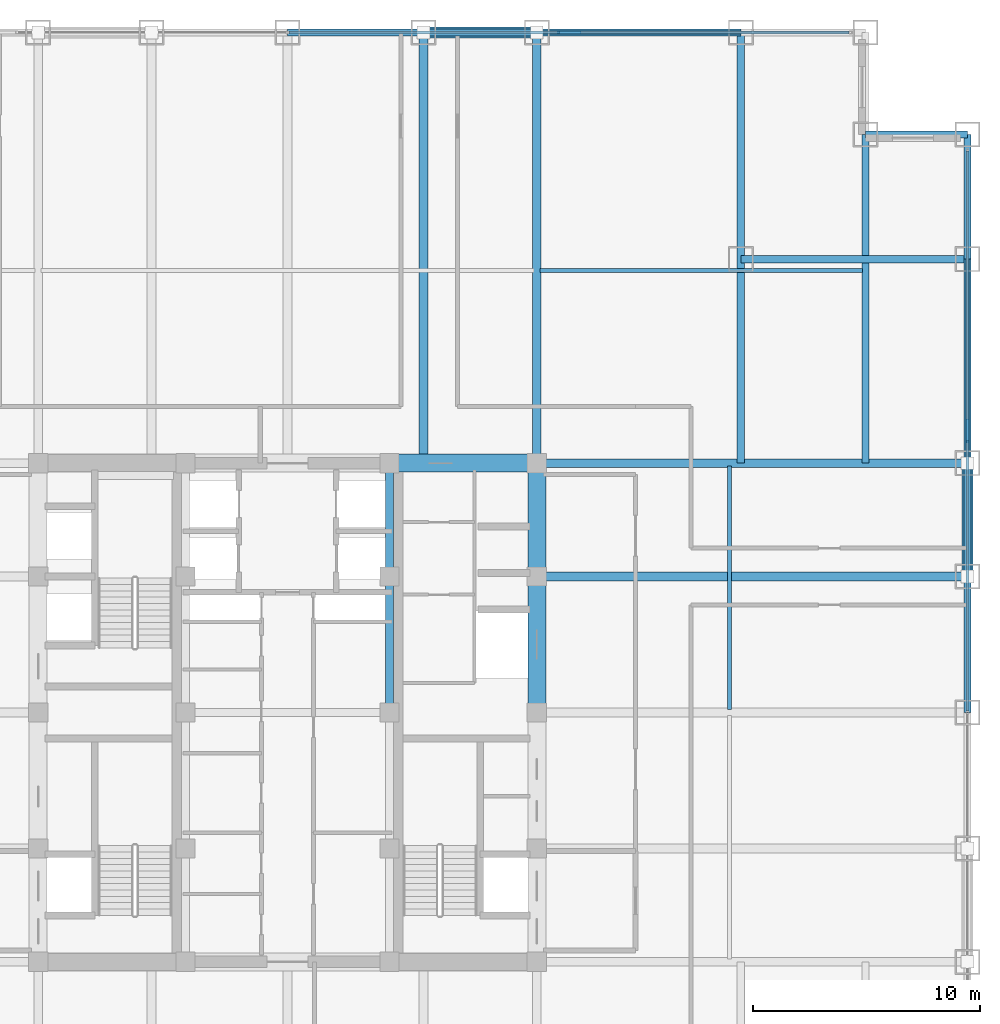
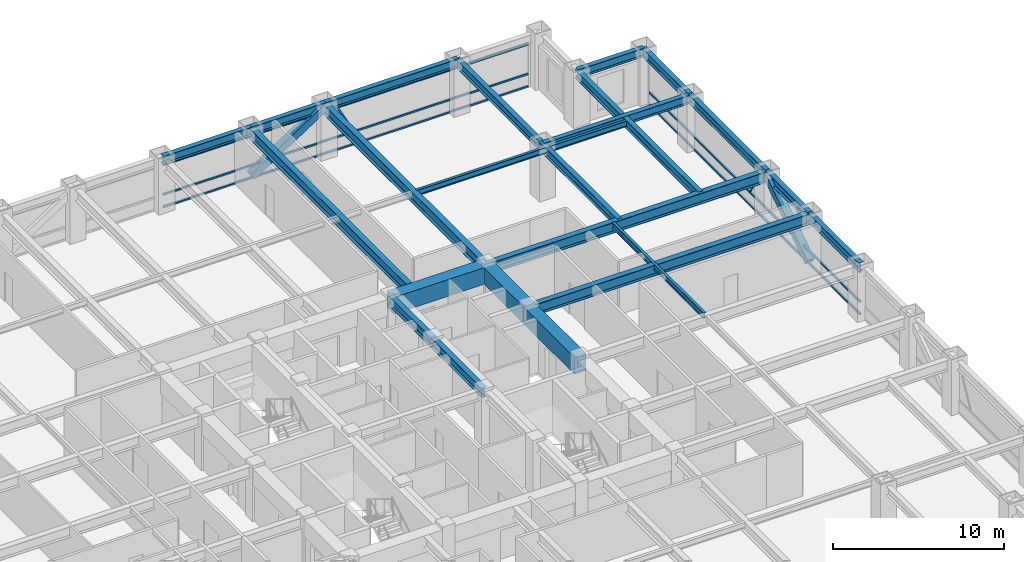
# One storey, part 17 of 24: 22 beams, 10 members, 2 elements without a shape of their own.
"""IFC4 building model written with IfcOpenShell, lengths in metres."""

from ifc_helpers import new_model, si_unit, direction, frame, origin, origin_2d, place, context, subcontext, project, spatial, rectangle, hollow_rectangle, i_section, extrude, source, transform, mapped, material, material_profile, profile_set, type_object, element, aggregate, save


model = new_model("IFC4")

# Units and contexts
model_context = context("Model", 3, precision=1e-05, world=origin(), true_north=direction((0.0, 1.0)))
body_context = subcontext(model_context, "Body", "Model", "MODEL_VIEW")
ifc_project = project(units=[si_unit("LENGTHUNIT", "METRE"), si_unit("AREAUNIT", "SQUARE_METRE"), si_unit("VOLUMEUNIT", "CUBIC_METRE"), si_unit("PLANEANGLEUNIT", "RADIAN"), si_unit("MASSUNIT", "GRAM", prefix="KILO")], contexts=[model_context])

# Site, building, storey
site_placement = place(None, origin())
site = spatial("IfcSite", under=ifc_project, at=site_placement, CompositionType="ELEMENT")
building_placement = place(site_placement, origin())
building = spatial("IfcBuilding", under=site, at=building_placement, Name="Khorayat Bourse Tower", CompositionType="ELEMENT")
storey_placement = place(building_placement, frame((0.0, 0.0, 171.10009765625)))
storey = spatial("IfcBuildingStorey", under=building, at=storey_placement, Name="L39", CompositionType="ELEMENT", Elevation=171.10009765625)

# Beams
ifc_material_1 = material(Name="Concrete C72/90", Category="concrete")
ifc_material_profile_1 = material_profile(ifc_material_1, rectangle(XDim=0.800048828125, YDim=1.199951171875, at=origin_2d()), Name="RC 800x1200")
ifc_profile_set_1 = profile_set([ifc_material_profile_1], Name="Concrete C72/90")
beam_type_1 = type_object("IfcBeamType", Name="BM-COUP-1200", PredefinedType="BEAM", material=ifc_profile_set_1)
shared_shape_1 = source(origin(), body_context, "Body", "SweptSolid", [
    extrude(rectangle(XDim=0.800048828125, YDim=1.199951171875, at=origin_2d()), origin(), (0.0, 0.0, 1.0), 5.0),
])
beam_1_placement = place(storey_placement, frame((11.0, 6.0, 3.179931640625), z_axis=(0.0, 1.0, 0.0), x_axis=(-1.0, 0.0, 0.0)))
element("IfcBeam", 1, at=beam_1_placement, inside=storey, type_object=beam_type_1, Name="L39 BM-COUP-1200 BM-L39-CRX-16", PredefinedType="BEAM", context=body_context, shape_type="MappedRepresentation", body=[
    mapped(shared_shape_1, transform((0.0, 0.0, 0.0), scale=1.0)),
])
shared_shape_2 = source(origin(), body_context, "Body", "SweptSolid", [
    extrude(rectangle(XDim=0.800048828125, YDim=1.199951171875, at=origin_2d()), origin(), (0.0, 0.0, 1.0), 6.0),
])
beam_2_placement = place(storey_placement, frame((11.0, 0.0, 3.179931640625), z_axis=(0.0, 1.0, 0.0), x_axis=(-1.0, 0.0, 0.0)))
element("IfcBeam", 2, at=beam_2_placement, inside=storey, type_object=beam_type_1, Name="L39 BM-COUP-1200 BM-L39-CRX-15", PredefinedType="BEAM", context=body_context, shape_type="MappedRepresentation", body=[
    mapped(shared_shape_2, transform((0.0, 0.0, 0.0), scale=1.0)),
])
ifc_material_2 = material(Name="Steel ASTM A992 Grade 50", Category="steel")
ifc_material_profile_2 = material_profile(ifc_material_2, i_section(OverallWidth=0.35498046875, OverallDepth=0.695068359375, WebThickness=0.015380859375, FlangeThickness=0.02490234375, FilletRadius=0.01806640625, at=origin_2d()), Name="W690X217")
ifc_profile_set_2 = profile_set([ifc_material_profile_2], Name="Steel ASTM A992 Grade 50")
beam_type_2 = type_object("IfcBeamType", Name="BM-GIRD-690", PredefinedType="BEAM", material=ifc_profile_set_2)
shared_shape_3 = source(origin(), body_context, "Body", "SweptSolid", [
    extrude(i_section(OverallWidth=0.35498046875, OverallDepth=0.695068359375, WebThickness=0.015380859375, FlangeThickness=0.02490234375, FilletRadius=0.01806640625, at=origin_2d()), origin(), (0.0, 0.0, 1.0), 5.0),
])
beam_3_placement = place(storey_placement, frame((4.5, 6.0, 3.432373046875), z_axis=(0.0, 1.0, 0.0), x_axis=(-1.0, 0.0, 0.0)))
element("IfcBeam", 3, at=beam_3_placement, inside=storey, type_object=beam_type_2, Name="L39 BM-GIRD-690 BM-L39-CRX-12", PredefinedType="BEAM", context=body_context, shape_type="MappedRepresentation", body=[
    mapped(shared_shape_3, transform((0.0, 0.0, 0.0), scale=1.0)),
])
shared_shape_4 = source(origin(), body_context, "Body", "SweptSolid", [
    extrude(i_section(OverallWidth=0.35498046875, OverallDepth=0.695068359375, WebThickness=0.015380859375, FlangeThickness=0.02490234375, FilletRadius=0.01806640625, at=origin_2d()), origin(), (0.0, 0.0, 1.0), 6.0),
])
beam_4_placement = place(storey_placement, frame((4.5, 0.0, 3.432373046875), z_axis=(0.0, 1.0, 0.0), x_axis=(-1.0, 0.0, 0.0)))
element("IfcBeam", 4, at=beam_4_placement, inside=storey, type_object=beam_type_2, Name="L39 BM-GIRD-690 BM-L39-CRX-11", PredefinedType="BEAM", context=body_context, shape_type="MappedRepresentation", body=[
    mapped(shared_shape_4, transform((0.0, 0.0, 0.0), scale=1.0)),
])
shared_shape_5 = source(origin(), body_context, "Body", "SweptSolid", [
    extrude(rectangle(XDim=0.800048828125, YDim=1.199951171875, at=origin_2d()), origin(), (0.0, 0.0, 1.0), 6.5),
])
beam_5_placement = place(storey_placement, frame((4.5, 11.0, 3.179931640625), z_axis=(1.0, 0.0, 0.0), x_axis=(0.0, 1.0, 0.0)))
element("IfcBeam", 5, at=beam_5_placement, inside=storey, type_object=beam_type_1, Name="L39 BM-COUP-1200 BM-L39-CRY-22", PredefinedType="BEAM", context=body_context, shape_type="MappedRepresentation", body=[
    mapped(shared_shape_5, transform((0.0, 0.0, 0.0), scale=1.0)),
])
ifc_material_profile_3 = material_profile(ifc_material_2, i_section(OverallWidth=0.381103515625, OverallDepth=0.77294921875, WebThickness=0.0166015625, FlangeThickness=0.027587890625, FilletRadius=0.01806640625, at=origin_2d()), Name="W760X257")
ifc_profile_set_3 = profile_set([ifc_material_profile_3], Name="Steel ASTM A992 Grade 50")
beam_type_3 = type_object("IfcBeamType", Name="BM-GIRD-760", PredefinedType="BEAM", material=ifc_profile_set_3)
shared_shape_6 = source(origin(), body_context, "Body", "SweptSolid", [
    extrude(i_section(OverallWidth=0.381103515625, OverallDepth=0.77294921875, WebThickness=0.0166015625, FlangeThickness=0.027587890625, FilletRadius=0.01806640625, at=origin_2d()), origin(), (0.0, 0.0, 1.0), 19.0),
])
for number, where, z_axis, x_axis, name in (
    (6, (6.0, 11.0, 3.393310546875), (0.0, 1.0, 0.0), (-1.0, 0.0, 0.0), "L39 BM-GIRD-760 BM-L39-RADY-070"),
    (7, (11.0, 11.0, 3.393310546875), (0.0, 1.0, 0.0), (-1.0, 0.0, 0.0), "L39 BM-GIRD-760 BM-L39-RADY-072"),
    (8, (11.0, 6.0, 3.393310546875), (1.0, 0.0, 0.0), (0.0, 1.0, 0.0), "L39 BM-GIRD-760 BM-L39-RADX-080"),
    (9, (11.0, 11.0, 3.393310546875), (1.0, 0.0, 0.0), (0.0, 1.0, 0.0), "L39 BM-GIRD-760 BM-L39-RADX-082"),
):
    element("IfcBeam", number, at=place(storey_placement, frame(where, z_axis=z_axis, x_axis=x_axis)), inside=storey, type_object=beam_type_3, Name=name, PredefinedType="BEAM", context=body_context, shape_type="MappedRepresentation", body=[
        mapped(shared_shape_6, transform((0.0, 0.0, 0.0), scale=1.0)),
    ])
ifc_material_profile_4 = material_profile(ifc_material_2, i_section(OverallWidth=0.324951171875, OverallDepth=0.615966796875, WebThickness=0.013916015625, FlangeThickness=0.021484375, FilletRadius=0.01611328125, at=origin_2d()), Name="W610X174")
ifc_profile_set_4 = profile_set([ifc_material_profile_4], Name="Steel ASTM A992 Grade 50")
beam_type_4 = type_object("IfcBeamType", Name="BM-GIRD-610", PredefinedType="BEAM", material=ifc_profile_set_4)
shared_shape_7 = source(origin(), body_context, "Body", "SweptSolid", [
    extrude(i_section(OverallWidth=0.324951171875, OverallDepth=0.615966796875, WebThickness=0.013916015625, FlangeThickness=0.021484375, FilletRadius=0.01611328125, at=origin_2d()), origin(), (0.0, 0.0, 1.0), 19.0),
])
beam_6_placement = place(storey_placement, frame((20.0, 11.0, 3.471923828125), z_axis=(0.0, 1.0, 0.0), x_axis=(-1.0, 0.0, 0.0)))
element("IfcBeam", 10, at=beam_6_placement, inside=storey, type_object=beam_type_4, Name="L39 BM-GIRD-610 BM-L39-CNRY-087", PredefinedType="BEAM", context=body_context, shape_type="MappedRepresentation", body=[
    mapped(shared_shape_7, transform((0.0, 0.0, 0.0), scale=1.0)),
])
shared_shape_8 = source(origin(), body_context, "Body", "SweptSolid", [
    extrude(i_section(OverallWidth=0.324951171875, OverallDepth=0.615966796875, WebThickness=0.013916015625, FlangeThickness=0.021484375, FilletRadius=0.01611328125, at=origin_2d()), origin(), (0.0, 0.0, 1.0), 14.5),
])
beam_7_placement = place(storey_placement, frame((25.5, 11.0, 3.471923828125), z_axis=(0.0, 1.0, 0.0), x_axis=(-1.0, 0.0, 0.0)))
element("IfcBeam", 11, at=beam_7_placement, inside=storey, type_object=beam_type_4, Name="L39 BM-GIRD-610 BM-L39-CNRY-091", PredefinedType="BEAM", context=body_context, shape_type="MappedRepresentation", body=[
    mapped(shared_shape_8, transform((0.0, 0.0, 0.0), scale=1.0)),
])
shared_shape_9 = source(origin(), body_context, "Body", "SweptSolid", [
    extrude(i_section(OverallWidth=0.324951171875, OverallDepth=0.615966796875, WebThickness=0.013916015625, FlangeThickness=0.021484375, FilletRadius=0.01611328125, at=origin_2d()), origin(), (0.0, 0.0, 1.0), 10.0),
])
beam_8_placement = place(storey_placement, frame((20.0, 20.0, 3.471923828125), z_axis=(1.0, 0.0, 0.0), x_axis=(0.0, 1.0, 0.0)))
element("IfcBeam", 12, at=beam_8_placement, inside=storey, type_object=beam_type_4, Name="L39 BM-GIRD-610 BM-L39-CNRX-094", PredefinedType="BEAM", context=body_context, shape_type="MappedRepresentation", body=[
    mapped(shared_shape_9, transform((0.0, 0.0, 0.0), scale=1.0)),
])
ifc_material_profile_5 = material_profile(ifc_material_2, i_section(OverallWidth=0.180908203125, OverallDepth=0.4169921875, WebThickness=0.010986328125, FlangeThickness=0.018310546875, FilletRadius=0.011962890625, at=origin_2d()), Name="W410X85")
ifc_profile_set_5 = profile_set([ifc_material_profile_5], Name="Steel ASTM A992 Grade 50")
beam_type_5 = type_object("IfcBeamType", Name="BM-JOIST-410", PredefinedType="JOIST", material=ifc_profile_set_5)
shared_shape_10 = source(origin(), body_context, "Body", "SweptSolid", [
    extrude(i_section(OverallWidth=0.180908203125, OverallDepth=0.4169921875, WebThickness=0.010986328125, FlangeThickness=0.018310546875, FilletRadius=0.011962890625, at=origin_2d()), origin(), (0.0, 0.0, 1.0), 14.240234375),
])
beam_9_placement = place(storey_placement, frame((11.1298828125, 19.5, 3.5712890625), z_axis=(1.0, 0.0, 0.0), x_axis=(0.0, 1.0, 0.0)))
element("IfcBeam", 13, at=beam_9_placement, inside=storey, type_object=beam_type_5, Name="L39 BM-JOIST-410 BM-L39-JSTX-101", PredefinedType="JOIST", context=body_context, shape_type="MappedRepresentation", body=[
    mapped(shared_shape_10, transform((0.0, 0.0, 0.0), scale=1.0)),
])
shared_shape_11 = source(origin(), body_context, "Body", "SweptSolid", [
    extrude(i_section(OverallWidth=0.180908203125, OverallDepth=0.4169921875, WebThickness=0.010986328125, FlangeThickness=0.018310546875, FilletRadius=0.011962890625, at=origin_2d()), origin(), (0.0, 0.0, 1.0), 10.740234375),
])
beam_10_placement = place(storey_placement, frame((19.5, 0.1298828125, 3.5712890625), z_axis=(0.0, 1.0, 0.0), x_axis=(-1.0, 0.0, 0.0)))
element("IfcBeam", 14, at=beam_10_placement, inside=storey, type_object=beam_type_5, Name="L39 BM-JOIST-410 BM-L39-JSTY-105", PredefinedType="JOIST", context=body_context, shape_type="MappedRepresentation", body=[
    mapped(shared_shape_11, transform((0.0, 0.0, 0.0), scale=1.0)),
])
ifc_material_profile_6 = material_profile(ifc_material_2, i_section(OverallWidth=0.324951171875, OverallDepth=0.615966796875, WebThickness=0.013916015625, FlangeThickness=0.021484375, FilletRadius=0.01611328125, at=origin_2d()), Name="W610X174")
ifc_profile_set_6 = profile_set([ifc_material_profile_6], Name="Steel ASTM A992 Grade 50")
beam_type_6 = type_object("IfcBeamType", Name="BM-SPAN-610", PredefinedType="SPANDREL", material=ifc_profile_set_6)
shared_shape_12 = source(origin(), body_context, "Body", "SweptSolid", [
    extrude(i_section(OverallWidth=0.324951171875, OverallDepth=0.615966796875, WebThickness=0.013916015625, FlangeThickness=0.021484375, FilletRadius=0.01611328125, at=origin_2d()), origin(), (0.0, 0.0, 1.0), 5.5),
])
beam_11_placement = place(storey_placement, frame((30.0, 20.0, 3.471923828125), z_axis=(0.0, 1.0, 0.0), x_axis=(-1.0, 0.0, 0.0)))
element("IfcBeam", 15, at=beam_11_placement, inside=storey, type_object=beam_type_6, Name="L39 BM-SPAN-610 BM-L39-SPN-041", PredefinedType="SPANDREL", context=body_context, shape_type="MappedRepresentation", body=[
    mapped(shared_shape_12, transform((0.0, 0.0, 0.0), scale=1.0)),
])
shared_shape_13 = source(origin(), body_context, "Body", "SweptSolid", [
    extrude(i_section(OverallWidth=0.324951171875, OverallDepth=0.615966796875, WebThickness=0.013916015625, FlangeThickness=0.021484375, FilletRadius=0.01611328125, at=origin_2d()), origin(), (0.0, 0.0, 1.0), 9.0),
])
for number, where, z_axis, x_axis, name in (
    (16, (30.0, 11.0, 3.471923828125), (0.0, 1.0, 0.0), (-1.0, 0.0, 0.0), "L39 BM-SPAN-610 BM-L39-SPN-040"),
    (17, (11.0, 30.0, 3.471923828125), (1.0, 0.0, 0.0), (0.0, 1.0, 0.0), "L39 BM-SPAN-610 BM-L39-SPN-045"),
):
    element("IfcBeam", number, at=place(storey_placement, frame(where, z_axis=z_axis, x_axis=x_axis)), inside=storey, type_object=beam_type_6, Name=name, PredefinedType="SPANDREL", context=body_context, shape_type="MappedRepresentation", body=[
        mapped(shared_shape_13, transform((0.0, 0.0, 0.0), scale=1.0)),
    ])
shared_shape_14 = source(origin(), body_context, "Body", "SweptSolid", [
    extrude(i_section(OverallWidth=0.324951171875, OverallDepth=0.615966796875, WebThickness=0.013916015625, FlangeThickness=0.021484375, FilletRadius=0.01611328125, at=origin_2d()), origin(), (0.0, 0.0, 1.0), 5.0),
])
for number, where, z_axis, x_axis, name in (
    (18, (30.0, 6.0, 3.471923828125), (0.0, 1.0, 0.0), (-1.0, 0.0, 0.0), "L39 BM-SPAN-610 BM-L39-SPN-039"),
    (19, (6.0, 30.0, 3.471923828125), (1.0, 0.0, 0.0), (0.0, 1.0, 0.0), "L39 BM-SPAN-610 BM-L39-SPN-046"),
):
    element("IfcBeam", number, at=place(storey_placement, frame(where, z_axis=z_axis, x_axis=x_axis)), inside=storey, type_object=beam_type_6, Name=name, PredefinedType="SPANDREL", context=body_context, shape_type="MappedRepresentation", body=[
        mapped(shared_shape_14, transform((0.0, 0.0, 0.0), scale=1.0)),
    ])
shared_shape_15 = source(origin(), body_context, "Body", "SweptSolid", [
    extrude(i_section(OverallWidth=0.324951171875, OverallDepth=0.615966796875, WebThickness=0.013916015625, FlangeThickness=0.021484375, FilletRadius=0.01611328125, at=origin_2d()), origin(), (0.0, 0.0, 1.0), 6.0),
])
for number, where, z_axis, x_axis, name in (
    (20, (30.0, 0.0, 3.471923828125), (0.0, 1.0, 0.0), (-1.0, 0.0, 0.0), "L39 BM-SPAN-610 BM-L39-SPN-038"),
    (21, (0.0, 30.0, 3.471923828125), (1.0, 0.0, 0.0), (0.0, 1.0, 0.0), "L39 BM-SPAN-610 BM-L39-SPN-047"),
):
    element("IfcBeam", number, at=place(storey_placement, frame(where, z_axis=z_axis, x_axis=x_axis)), inside=storey, type_object=beam_type_6, Name=name, PredefinedType="SPANDREL", context=body_context, shape_type="MappedRepresentation", body=[
        mapped(shared_shape_15, transform((0.0, 0.0, 0.0), scale=1.0)),
    ])
shared_shape_16 = source(origin(), body_context, "Body", "SweptSolid", [
    extrude(i_section(OverallWidth=0.324951171875, OverallDepth=0.615966796875, WebThickness=0.013916015625, FlangeThickness=0.021484375, FilletRadius=0.01611328125, at=origin_2d()), origin(), (0.0, 0.0, 1.0), 4.5),
])
beam_12_placement = place(storey_placement, frame((25.5, 25.5, 3.471923828125), z_axis=(1.0, 0.0, 0.0), x_axis=(0.0, 1.0, 0.0)))
element("IfcBeam", 22, at=beam_12_placement, inside=storey, type_object=beam_type_6, Name="L39 BM-SPAN-610 BM-L39-SPN-042", PredefinedType="SPANDREL", context=body_context, shape_type="MappedRepresentation", body=[
    mapped(shared_shape_16, transform((0.0, 0.0, 0.0), scale=1.0)),
])

# Members
ifc_material_3 = material(Name="Steel EN 10025-4 S460M", Category="steel")
ifc_material_profile_7 = material_profile(ifc_material_3, hollow_rectangle(XDim=0.5, YDim=0.5, WallThickness=0.028076171875, at=origin_2d()), Name="HSS 500x500x28")
ifc_profile_set_7 = profile_set([ifc_material_profile_7], Name="Steel EN 10025-4 S460M")
member_type_1 = type_object("IfcMemberType", Name="MBR-TUBE-500", PredefinedType="BRACE", material=ifc_profile_set_7)
shared_shape_17 = source(origin(), body_context, "Body", "SweptSolid", [
    extrude(hollow_rectangle(XDim=0.5, YDim=0.5, WallThickness=0.028076171875, at=origin_2d()), origin(), (0.0, 0.0, 1.0), 5.979736328125),
])
for number, where, z_axis, x_axis, name in (
    (23, (6.0, 30.0, 0.25), (0.836160261256, 0.0, 0.548485202623), (0.0, 1.0, 0.0), "L39 Perimeter Tube Brace 04"),
    (24, (30.0, 6.0, 0.25), (0.0, 0.836160261256, 0.548485202623), (-1.0, 0.0, 0.0), "L39 Perimeter Tube Brace 08"),
):
    element("IfcMember", number, at=place(storey_placement, frame(where, z_axis=z_axis, x_axis=x_axis)), inside=storey, type_object=member_type_1, Name=name, PredefinedType="BRACE", context=body_context, shape_type="MappedRepresentation", body=[
        mapped(shared_shape_17, transform((0.0, 0.0, 0.0), scale=1.0)),
    ])

# Curtain wall, member
ifc_material_4 = material(Name="Aluminium EN AW-6063 T6", Category="aluminium")
curtain_wall_type = type_object("IfcCurtainWallType", Name="CW-SYS-03", PredefinedType="NOTDEFINED", material=ifc_material_4)
curtain_wall_1_placement = place(storey_placement, origin())
curtain_wall_1 = element("IfcCurtainWall", 25, at=curtain_wall_1_placement, inside=storey, type_object=curtain_wall_type, Name="L39 Curtain Wall CW-L39-N1", PredefinedType="NOTDEFINED")
ifc_material_profile_8 = material_profile(ifc_material_4, hollow_rectangle(XDim=0.1201171875, YDim=0.1201171875, WallThickness=0.0048828125, at=origin_2d()), Name="ALU 120x120x5")
ifc_profile_set_8 = profile_set([ifc_material_profile_8], Name="Aluminium EN AW-6063 T6")
member_type_2 = type_object("IfcMemberType", Name="CWM-DIAG-120", PredefinedType="MULLION", material=ifc_profile_set_8)
shared_shape_18 = source(origin(), body_context, "Body", "SweptSolid", [
    extrude(hollow_rectangle(XDim=0.1201171875, YDim=0.1201171875, WallThickness=0.0048828125, at=origin_2d()), origin(), (0.0, 0.0, 1.0), 2.079345703125),
])
member_1_placement = place(storey_placement, frame((12.904296875, 30.0, 1.08984375), z_axis=(-0.465760949701, 0.0, 0.884910581773), x_axis=(0.0, -1.0, 0.0)))
member_1 = element("IfcMember", 26, at=member_1_placement, type_object=member_type_2, Name="CW-L39-N1 Faceted Diagonal Mullion 2", PredefinedType="MULLION", context=body_context, shape_type="MappedRepresentation", body=[
    mapped(shared_shape_18, transform((0.0, 0.0, 0.0), scale=1.0)),
])

curtain_wall_2_placement = place(storey_placement, origin())
curtain_wall_2 = element("IfcCurtainWall", 27, at=curtain_wall_2_placement, inside=storey, type_object=curtain_wall_type, Name="L39 Curtain Wall CW-L39-E1", PredefinedType="NOTDEFINED")
member_2_placement = place(storey_placement, frame((30.0, 12.904296875, 1.08984375), z_axis=(0.0, -0.465760949701, 0.884910581773), x_axis=(1.0, 0.0, 0.0)))
member_2 = element("IfcMember", 28, at=member_2_placement, type_object=member_type_2, Name="CW-L39-E1 Faceted Diagonal Mullion 2", PredefinedType="MULLION", context=body_context, shape_type="MappedRepresentation", body=[
    mapped(shared_shape_18, transform((0.0, 0.0, 0.0), scale=1.0)),
])

# Member
ifc_material_profile_9 = material_profile(ifc_material_4, hollow_rectangle(XDim=0.1201171875, YDim=0.1201171875, WallThickness=0.0048828125, at=origin_2d()), Name="ALU 120x120x5")
ifc_profile_set_9 = profile_set([ifc_material_profile_9], Name="Aluminium EN AW-6063 T6")
member_type_3 = type_object("IfcMemberType", Name="CWT-HORZ-120", PredefinedType="USERDEFINED", material=ifc_profile_set_9)
shared_shape_19 = source(origin(), body_context, "Body", "SweptSolid", [
    extrude(hollow_rectangle(XDim=0.1201171875, YDim=0.1201171875, WallThickness=0.0048828125, at=origin_2d()), origin(), (0.0, 0.0, 1.0), 24.719970703125),
])
member_3_placement = place(storey_placement, frame((0.06005859375, 30.0, 0.059814453125), z_axis=(1.0, 0.0, 0.0), x_axis=(0.0, 1.0, 0.0)))
member_3 = element("IfcMember", 29, at=member_3_placement, type_object=member_type_3, Name="CW-L39-N1 Horizontal Transom 2-1", ObjectType="TRANSOM", PredefinedType="USERDEFINED", context=body_context, shape_type="MappedRepresentation", body=[
    mapped(shared_shape_19, transform((0.0, 0.0, 0.0), scale=1.0)),
])

member_4_placement = place(storey_placement, frame((0.06005859375, 30.0, 0.949951171875), z_axis=(1.0, 0.0, 0.0), x_axis=(0.0, 1.0, 0.0)))
member_4 = element("IfcMember", 30, at=member_4_placement, type_object=member_type_3, Name="CW-L39-N1 Horizontal Transom 2-2", ObjectType="TRANSOM", PredefinedType="USERDEFINED", context=body_context, shape_type="MappedRepresentation", body=[
    mapped(shared_shape_19, transform((0.0, 0.0, 0.0), scale=1.0)),
])

member_5_placement = place(storey_placement, frame((0.06005859375, 30.0, 3.06982421875), z_axis=(1.0, 0.0, 0.0), x_axis=(0.0, 1.0, 0.0)))
member_5 = element("IfcMember", 31, at=member_5_placement, type_object=member_type_3, Name="CW-L39-N1 Horizontal Transom 2-3", ObjectType="TRANSOM", PredefinedType="USERDEFINED", context=body_context, shape_type="MappedRepresentation", body=[
    mapped(shared_shape_19, transform((0.0, 0.0, 0.0), scale=1.0)),
])

aggregate(curtain_wall_1, [member_3, member_4, member_5, member_1])

member_6_placement = place(storey_placement, frame((30.0, 0.06005859375, 0.059814453125), z_axis=(0.0, 1.0, 0.0), x_axis=(-1.0, 0.0, 0.0)))
member_6 = element("IfcMember", 32, at=member_6_placement, type_object=member_type_3, Name="CW-L39-E1 Horizontal Transom 2-1", ObjectType="TRANSOM", PredefinedType="USERDEFINED", context=body_context, shape_type="MappedRepresentation", body=[
    mapped(shared_shape_19, transform((0.0, 0.0, 0.0), scale=1.0)),
])

member_7_placement = place(storey_placement, frame((30.0, 0.06005859375, 0.949951171875), z_axis=(0.0, 1.0, 0.0), x_axis=(-1.0, 0.0, 0.0)))
member_7 = element("IfcMember", 33, at=member_7_placement, type_object=member_type_3, Name="CW-L39-E1 Horizontal Transom 2-2", ObjectType="TRANSOM", PredefinedType="USERDEFINED", context=body_context, shape_type="MappedRepresentation", body=[
    mapped(shared_shape_19, transform((0.0, 0.0, 0.0), scale=1.0)),
])

member_8_placement = place(storey_placement, frame((30.0, 0.06005859375, 3.06982421875), z_axis=(0.0, 1.0, 0.0), x_axis=(-1.0, 0.0, 0.0)))
member_8 = element("IfcMember", 34, at=member_8_placement, type_object=member_type_3, Name="CW-L39-E1 Horizontal Transom 2-3", ObjectType="TRANSOM", PredefinedType="USERDEFINED", context=body_context, shape_type="MappedRepresentation", body=[
    mapped(shared_shape_19, transform((0.0, 0.0, 0.0), scale=1.0)),
])

aggregate(curtain_wall_2, [member_6, member_7, member_8, member_2])

save(model, "model.ifc")
